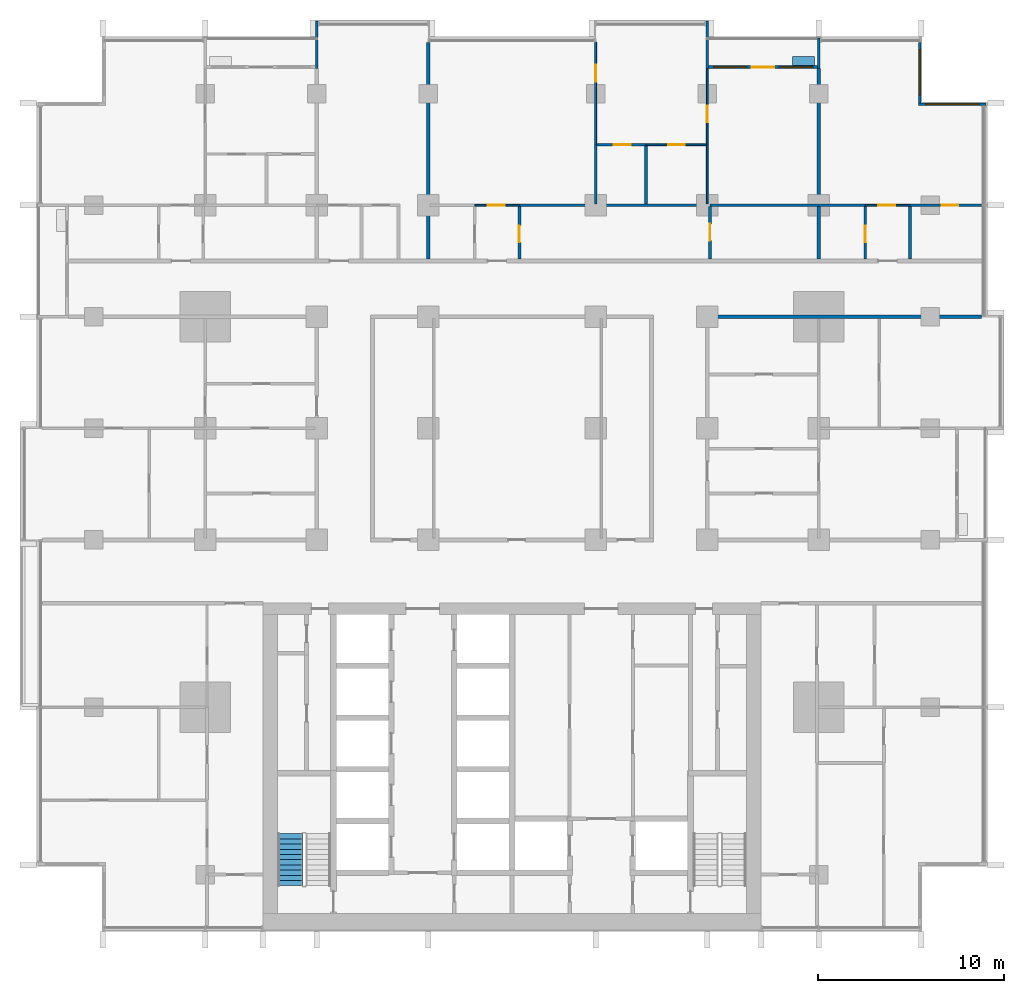
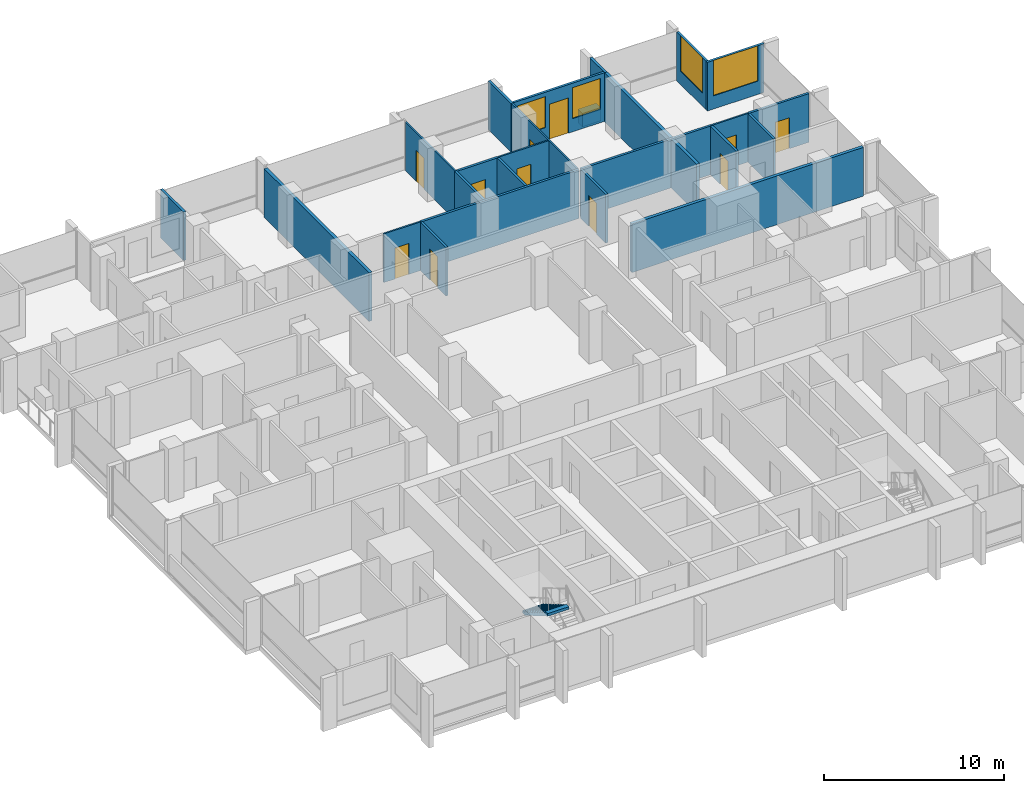
# One storey, part 12 of 18: 26 walls, 11 doors, 4 windows, 1 stair flight, 15 openings, 1 element without a shape of its own.
"""IFC4 building model written with IfcOpenShell, lengths in metres."""

from ifc_helpers import new_model, si_unit, direction, frame, frame_2d, origin, place, context, subcontext, project, spatial, polyline, rectangle, outline, extrude, material, layer, layer_set, type_object, element, fill, aggregate, save


model = new_model("IFC4")

# Units and contexts
model_context = context("Model", 3, precision=1e-05, world=origin(), true_north=direction((0.0, 1.0)))
body_context = subcontext(model_context, "Body", "Model", "MODEL_VIEW")
ifc_project = project(units=[si_unit("LENGTHUNIT", "METRE"), si_unit("AREAUNIT", "SQUARE_METRE"), si_unit("VOLUMEUNIT", "CUBIC_METRE"), si_unit("PLANEANGLEUNIT", "RADIAN"), si_unit("MASSUNIT", "GRAM", prefix="KILO")], contexts=[model_context])

# Site, building, storey
site_placement = place(None, origin())
site = spatial("IfcSite", under=ifc_project, at=site_placement, CompositionType="ELEMENT")
building_placement = place(site_placement, origin())
building = spatial("IfcBuilding", under=site, at=building_placement, Name="Finial Court Residences", CompositionType="ELEMENT")
storey_placement = place(building_placement, frame((0.0, 0.0, 84.699951171875)))
storey = spatial("IfcBuildingStorey", under=building, at=storey_placement, Name="L20", CompositionType="ELEMENT", Elevation=84.699951171875)

# Walls
ifc_material_1 = material(Name="Gypsum board")
ifc_layer_1 = layer(ifc_material_1, 0.02490234375)
ifc_material_2 = material(Name="Acoustic mineral wool in double frame")
ifc_layer_2 = layer(ifc_material_2, 0.14990234375)
ifc_layer_3 = layer(ifc_material_1, 0.02490234375)
ifc_layer_set_1 = layer_set([ifc_layer_1, ifc_layer_2, ifc_layer_3], Name="Acoustic party wall 200, 1 hour")
wall_type_1 = type_object("IfcWallType", Name="Acoustic party wall 200, 1 hour", PredefinedType="PARTITIONING", material=ifc_layer_set_1)
wall_1_placement = place(storey_placement, frame((-4.5, 10.60009765625, 0.0), z_axis=(0.0, 0.0, 1.0), x_axis=(0.0, 1.0, 0.0)))
element("IfcWall", 1, at=wall_1_placement, inside=storey, type_object=wall_type_1, Name="Partition L20-060", PredefinedType="PARTITIONING", context=body_context, shape_type="SweptSolid", body=[
    extrude(rectangle(XDim=11.64990234375, YDim=0.199951171875, at=frame_2d((5.824951171875, 0.0))), origin(), (0.0, 0.0, 1.0), 3.300048828125),
])
wall_2_placement = place(storey_placement, frame((16.5, 10.60009765625, 0.0), z_axis=(0.0, 0.0, 1.0), x_axis=(0.0, 1.0, 0.0)))
element("IfcWall", 2, at=wall_2_placement, inside=storey, type_object=wall_type_1, Name="Partition L20-077", PredefinedType="PARTITIONING", context=body_context, shape_type="SweptSolid", body=[
    extrude(rectangle(XDim=2.824951171875, YDim=0.199951171875, at=frame_2d((1.41259765625, 0.0))), origin(), (0.0, 0.0, 1.0), 3.300048828125),
])
wall_3_placement = place(storey_placement, frame((16.5, 13.574951171875, 0.0), z_axis=(0.0, 0.0, 1.0), x_axis=(0.0, 1.0, 0.0)))
element("IfcWall", 3, at=wall_3_placement, inside=storey, type_object=wall_type_1, Name="Partition L20-078", PredefinedType="PARTITIONING", context=body_context, shape_type="SweptSolid", body=[
    extrude(rectangle(XDim=7.275146484375, YDim=0.199951171875, at=frame_2d((3.6376953125, 0.0))), origin(), (0.0, 0.0, 1.0), 3.300048828125),
])
ifc_layer_4 = layer(ifc_material_1, 0.02490234375)
ifc_layer_5 = layer(ifc_material_2, 0.14990234375)
ifc_layer_6 = layer(ifc_material_1, 0.02490234375)
ifc_layer_set_2 = layer_set([ifc_layer_4, ifc_layer_5, ifc_layer_6], Name="Corridor wall 200, 1 hour")
wall_type_2 = type_object("IfcWallType", Name="Corridor wall 200, 1 hour", PredefinedType="PARTITIONING", material=ifc_layer_set_2)
wall_4_placement = place(storey_placement, frame((10.39990234375, 7.5, 0.0), z_axis=(0.0, 0.0, 1.0), x_axis=(1.0, 0.0, 0.0)))
element("IfcWall", 4, at=wall_4_placement, inside=storey, type_object=wall_type_2, Name="Partition L20-024", PredefinedType="PARTITIONING", context=body_context, shape_type="SweptSolid", body=[
    extrude(rectangle(XDim=14.85009765625, YDim=0.199951171875, at=frame_2d((7.425048828125, 0.0))), origin(), (0.0, 0.0, 1.0), 3.300048828125),
])

# Wall, opening, door
ifc_layer_7 = layer(ifc_material_1, 0.012451171875)
ifc_material_3 = material(Name="Mineral wool in light-gauge frame")
ifc_layer_8 = layer(ifc_material_3, 0.074951171875)
ifc_layer_9 = layer(ifc_material_1, 0.012451171875)
ifc_layer_set_3 = layer_set([ifc_layer_7, ifc_layer_8, ifc_layer_9], Name="Gypsum board partition 100")
wall_type_3 = type_object("IfcWallType", Name="Gypsum board partition 100", PredefinedType="PARTITIONING", material=ifc_layer_set_3)
wall_5_placement = place(storey_placement, frame((-2.0, 13.5, 0.0), z_axis=(0.0, 0.0, 1.0), x_axis=(1.0, 0.0, 0.0)))
wall_5 = element("IfcWall", 5, at=wall_5_placement, inside=storey, type_object=wall_type_3, Name="Partition L20-028", PredefinedType="PARTITIONING", context=body_context, shape_type="SweptSolid", body=[
    extrude(rectangle(XDim=2.39990234375, YDim=0.10009765625, at=frame_2d((1.199951171875, 0.0))), origin(), (0.0, 0.0, 1.0), 3.300048828125),
])
opening_1_placement = place(wall_5_placement, frame((0.699951171875, 0.0, 0.0)))
opening_1 = element("IfcOpeningElement", 6, at=opening_1_placement, cuts=wall_5, Name="Opening L20-D024", PredefinedType="OPENING", context=body_context, shape_type="SweptSolid", body=[
    extrude(rectangle(XDim=0.89990234375, YDim=2.10009765625, at=frame_2d((0.449951171875, 1.050048828125))), frame((0.0, 0.06005859375, 0.0), z_axis=(0.0, -1.0, 0.0), x_axis=(1.0, 0.0, 0.0)), (0.0, 0.0, 1.0), 0.1201171875),
])
ifc_material_4 = material(Name="Timber door leaf in timber frame", Category="wood")
door_type_1 = type_object("IfcDoorType", Name="Door set 900 x 2100", OperationType="SINGLE_SWING_LEFT", PredefinedType="DOOR", material=ifc_material_4)
door_1_placement = place(opening_1_placement, origin())
door_1 = element("IfcDoor", 7, at=door_1_placement, inside=storey, type_object=door_type_1, Name="Door L20-D024", OperationType="SINGLE_SWING_RIGHT", OverallHeight=2.10009765625, OverallWidth=0.89990234375, PredefinedType="DOOR", context=body_context, shape_type="SweptSolid", body=[
    extrude(rectangle(XDim=0.89990234375, YDim=2.10009765625, at=frame_2d((0.449951171875, 1.050048828125))), frame((0.0, 0.02490234375, 0.0), z_axis=(0.0, -1.0, 0.0), x_axis=(1.0, 0.0, 0.0)), (0.0, 0.0, 1.0), 0.050048828125),
])
fill(opening_1, door_1)

wall_6_placement = place(storey_placement, frame((19.0, 13.5, 0.0), z_axis=(0.0, 0.0, 1.0), x_axis=(1.0, 0.0, 0.0)))
wall_6 = element("IfcWall", 8, at=wall_6_placement, inside=storey, type_object=wall_type_3, Name="Partition L20-029", PredefinedType="PARTITIONING", context=body_context, shape_type="SweptSolid", body=[
    extrude(rectangle(XDim=2.39990234375, YDim=0.10009765625, at=frame_2d((1.199951171875, 0.0))), origin(), (0.0, 0.0, 1.0), 3.300048828125),
])
opening_2_placement = place(wall_6_placement, frame((0.699951171875, 0.0, 0.0)))
opening_2 = element("IfcOpeningElement", 9, at=opening_2_placement, cuts=wall_6, Name="Opening L20-D025", PredefinedType="OPENING", context=body_context, shape_type="SweptSolid", body=[
    extrude(rectangle(XDim=0.89990234375, YDim=2.10009765625, at=frame_2d((0.449951171875, 1.050048828125))), frame((0.0, 0.06005859375, 0.0), z_axis=(0.0, -1.0, 0.0), x_axis=(1.0, 0.0, 0.0)), (0.0, 0.0, 1.0), 0.1201171875),
])
door_2_placement = place(opening_2_placement, origin())
door_2 = element("IfcDoor", 10, at=door_2_placement, inside=storey, type_object=door_type_1, Name="Door L20-D025", OperationType="SINGLE_SWING_LEFT", OverallHeight=2.10009765625, OverallWidth=0.89990234375, PredefinedType="DOOR", context=body_context, shape_type="SweptSolid", body=[
    extrude(rectangle(XDim=0.89990234375, YDim=2.10009765625, at=frame_2d((0.449951171875, 1.050048828125))), frame((0.0, 0.02490234375, 0.0), z_axis=(0.0, -1.0, 0.0), x_axis=(1.0, 0.0, 0.0)), (0.0, 0.0, 1.0), 0.050048828125),
])
fill(opening_2, door_2)

wall_7_placement = place(storey_placement, frame((7.199951171875, 16.75, 0.0), z_axis=(0.0, 0.0, 1.0), x_axis=(1.0, 0.0, 0.0)))
wall_7 = element("IfcWall", 11, at=wall_7_placement, inside=storey, type_object=wall_type_3, Name="Partition L20-039", PredefinedType="PARTITIONING", context=body_context, shape_type="SweptSolid", body=[
    extrude(rectangle(XDim=3.25, YDim=0.10009765625, at=frame_2d((1.625, 0.0))), origin(), (0.0, 0.0, 1.0), 3.300048828125),
])
opening_3_placement = place(wall_7_placement, frame((1.199951171875, 0.0, 0.0)))
opening_3 = element("IfcOpeningElement", 12, at=opening_3_placement, cuts=wall_7, Name="Opening L20-D030", PredefinedType="OPENING", context=body_context, shape_type="SweptSolid", body=[
    extrude(rectangle(XDim=0.89990234375, YDim=2.10009765625, at=frame_2d((0.449951171875, 1.050048828125))), frame((0.0, 0.06005859375, 0.0), z_axis=(0.0, -1.0, 0.0), x_axis=(1.0, 0.0, 0.0)), (0.0, 0.0, 1.0), 0.1201171875),
])
door_3_placement = place(opening_3_placement, origin())
door_3 = element("IfcDoor", 13, at=door_3_placement, inside=storey, type_object=door_type_1, Name="Door L20-D030", OperationType="SINGLE_SWING_RIGHT", OverallHeight=2.10009765625, OverallWidth=0.89990234375, PredefinedType="DOOR", context=body_context, shape_type="SweptSolid", body=[
    extrude(rectangle(XDim=0.89990234375, YDim=2.10009765625, at=frame_2d((0.449951171875, 1.050048828125))), frame((0.0, 0.02490234375, 0.0), z_axis=(0.0, -1.0, 0.0), x_axis=(1.0, 0.0, 0.0)), (0.0, 0.0, 1.0), 0.050048828125),
])
fill(opening_3, door_3)

wall_8_placement = place(storey_placement, frame((4.5, 16.75, 0.0), z_axis=(0.0, 0.0, 1.0), x_axis=(0.0, 1.0, 0.0)))
wall_8 = element("IfcWall", 14, at=wall_8_placement, inside=storey, type_object=wall_type_3, Name="Partition L20-064", PredefinedType="PARTITIONING", context=body_context, shape_type="SweptSolid", body=[
    extrude(rectangle(XDim=5.5, YDim=0.10009765625, at=frame_2d((2.75, 0.0))), origin(), (0.0, 0.0, 1.0), 3.300048828125),
])
opening_4_placement = place(wall_8_placement, frame((3.39990234375, 0.0, 0.0)))
opening_4 = element("IfcOpeningElement", 15, at=opening_4_placement, cuts=wall_8, Name="Opening L20-D043", PredefinedType="OPENING", context=body_context, shape_type="SweptSolid", body=[
    extrude(rectangle(XDim=0.89990234375, YDim=2.10009765625, at=frame_2d((0.449951171875, 1.050048828125))), frame((0.0, 0.06005859375, 0.0), z_axis=(0.0, -1.0, 0.0), x_axis=(1.0, 0.0, 0.0)), (0.0, 0.0, 1.0), 0.1201171875),
])
door_4_placement = place(opening_4_placement, origin())
door_4 = element("IfcDoor", 16, at=door_4_placement, inside=storey, type_object=door_type_1, Name="Door L20-D043", OperationType="SINGLE_SWING_RIGHT", OverallHeight=2.10009765625, OverallWidth=0.89990234375, PredefinedType="DOOR", context=body_context, shape_type="SweptSolid", body=[
    extrude(rectangle(XDim=0.89990234375, YDim=2.10009765625, at=frame_2d((0.449951171875, 1.050048828125))), frame((0.0, 0.02490234375, 0.0), z_axis=(0.0, -1.0, 0.0), x_axis=(1.0, 0.0, 0.0)), (0.0, 0.0, 1.0), 0.050048828125),
])
fill(opening_4, door_4)

wall_9_placement = place(storey_placement, frame((10.5, 13.574951171875, 0.0), z_axis=(0.0, 0.0, 1.0), x_axis=(0.0, 1.0, 0.0)))
wall_9 = element("IfcWall", 17, at=wall_9_placement, inside=storey, type_object=wall_type_3, Name="Partition L20-070", PredefinedType="PARTITIONING", context=body_context, shape_type="SweptSolid", body=[
    extrude(rectangle(XDim=7.275146484375, YDim=0.10009765625, at=frame_2d((3.6376953125, 0.0))), origin(), (0.0, 0.0, 1.0), 3.300048828125),
])
opening_5_placement = place(wall_9_placement, frame((4.375, 0.0, 0.0)))
opening_5 = element("IfcOpeningElement", 18, at=opening_5_placement, cuts=wall_9, Name="Opening L20-D045", PredefinedType="OPENING", context=body_context, shape_type="SweptSolid", body=[
    extrude(rectangle(XDim=0.89990234375, YDim=2.10009765625, at=frame_2d((0.449951171875, 1.050048828125))), frame((0.0, 0.06005859375, 0.0), z_axis=(0.0, -1.0, 0.0), x_axis=(1.0, 0.0, 0.0)), (0.0, 0.0, 1.0), 0.1201171875),
])
door_5_placement = place(opening_5_placement, origin())
door_5 = element("IfcDoor", 19, at=door_5_placement, inside=storey, type_object=door_type_1, Name="Door L20-D045", OperationType="SINGLE_SWING_RIGHT", OverallHeight=2.10009765625, OverallWidth=0.89990234375, PredefinedType="DOOR", context=body_context, shape_type="SweptSolid", body=[
    extrude(rectangle(XDim=0.89990234375, YDim=2.10009765625, at=frame_2d((0.449951171875, 1.050048828125))), frame((0.0, 0.02490234375, 0.0), z_axis=(0.0, -1.0, 0.0), x_axis=(1.0, 0.0, 0.0)), (0.0, 0.0, 1.0), 0.050048828125),
])
fill(opening_5, door_5)

# Walls
ifc_material_5 = material(Name="Moisture-resistant gypsum board")
ifc_layer_10 = layer(ifc_material_5, 0.012451171875)
ifc_layer_11 = layer(ifc_material_3, 0.125)
ifc_layer_12 = layer(ifc_material_5, 0.012451171875)
ifc_layer_set_4 = layer_set([ifc_layer_10, ifc_layer_11, ifc_layer_12], Name="Gypsum board wet-area partition 150")
wall_type_4 = type_object("IfcWallType", Name="Gypsum board wet-area partition 150", PredefinedType="PARTITIONING", material=ifc_layer_set_4)
wall_10_placement = place(storey_placement, frame((0.39990234375, 13.5, 0.0), z_axis=(0.0, 0.0, 1.0), x_axis=(1.0, 0.0, 0.0)))
element("IfcWall", 20, at=wall_10_placement, inside=storey, type_object=wall_type_4, Name="Partition L20-034", PredefinedType="PARTITIONING", context=body_context, shape_type="SweptSolid", body=[
    extrude(rectangle(XDim=10.10009765625, YDim=0.14990234375, at=frame_2d((5.050048828125, 0.0))), origin(), (0.0, 0.0, 1.0), 3.300048828125),
])
wall_11_placement = place(storey_placement, frame((10.64990234375, 13.5, 0.0), z_axis=(0.0, 0.0, 1.0), x_axis=(1.0, 0.0, 0.0)))
element("IfcWall", 21, at=wall_11_placement, inside=storey, type_object=wall_type_4, Name="Partition L20-035", PredefinedType="PARTITIONING", context=body_context, shape_type="SweptSolid", body=[
    extrude(rectangle(XDim=8.35009765625, YDim=0.14990234375, at=frame_2d((4.175048828125, 0.0))), origin(), (0.0, 0.0, 1.0), 3.300048828125),
])

# Wall, opening, door
wall_12_placement = place(storey_placement, frame((21.39990234375, 13.5, 0.0), z_axis=(0.0, 0.0, 1.0), x_axis=(1.0, 0.0, 0.0)))
wall_12 = element("IfcWall", 22, at=wall_12_placement, inside=storey, type_object=wall_type_4, Name="Partition L20-036", PredefinedType="PARTITIONING", context=body_context, shape_type="SweptSolid", body=[
    extrude(rectangle(XDim=3.85009765625, YDim=0.14990234375, at=frame_2d((1.925048828125, 0.0))), origin(), (0.0, 0.0, 1.0), 3.300048828125),
])
opening_6_placement = place(wall_12_placement, frame((1.699951171875, 0.0, 0.0)))
opening_6 = element("IfcOpeningElement", 23, at=opening_6_placement, cuts=wall_12, Name="Opening L20-D027", PredefinedType="OPENING", context=body_context, shape_type="SweptSolid", body=[
    extrude(rectangle(XDim=0.89990234375, YDim=2.10009765625, at=frame_2d((0.449951171875, 1.050048828125))), frame((0.0, 0.0849609375, 0.0), z_axis=(0.0, -1.0, 0.0), x_axis=(1.0, 0.0, 0.0)), (0.0, 0.0, 1.0), 0.169921875),
])
door_6_placement = place(opening_6_placement, origin())
door_6 = element("IfcDoor", 24, at=door_6_placement, inside=storey, type_object=door_type_1, Name="Door L20-D027", OperationType="SINGLE_SWING_RIGHT", OverallHeight=2.10009765625, OverallWidth=0.89990234375, PredefinedType="DOOR", context=body_context, shape_type="SweptSolid", body=[
    extrude(rectangle(XDim=0.89990234375, YDim=2.10009765625, at=frame_2d((0.449951171875, 1.050048828125))), frame((0.0, 0.02490234375, 0.0), z_axis=(0.0, -1.0, 0.0), x_axis=(1.0, 0.0, 0.0)), (0.0, 0.0, 1.0), 0.050048828125),
])
fill(opening_6, door_6)

wall_13_placement = place(storey_placement, frame((4.574951171875, 16.75, 0.0), z_axis=(0.0, 0.0, 1.0), x_axis=(1.0, 0.0, 0.0)))
wall_13 = element("IfcWall", 25, at=wall_13_placement, inside=storey, type_object=wall_type_4, Name="Partition L20-040", PredefinedType="PARTITIONING", context=body_context, shape_type="SweptSolid", body=[
    extrude(rectangle(XDim=2.625, YDim=0.14990234375, at=frame_2d((1.3125, 0.0))), origin(), (0.0, 0.0, 1.0), 3.300048828125),
])
opening_7_placement = place(wall_13_placement, frame((0.89990234375, 0.0, 0.0)))
opening_7 = element("IfcOpeningElement", 26, at=opening_7_placement, cuts=wall_13, Name="Opening L20-D031", PredefinedType="OPENING", context=body_context, shape_type="SweptSolid", body=[
    extrude(rectangle(XDim=0.89990234375, YDim=2.10009765625, at=frame_2d((0.449951171875, 1.050048828125))), frame((0.0, 0.0849609375, 0.0), z_axis=(0.0, -1.0, 0.0), x_axis=(1.0, 0.0, 0.0)), (0.0, 0.0, 1.0), 0.169921875),
])
door_7_placement = place(opening_7_placement, origin())
door_7 = element("IfcDoor", 27, at=door_7_placement, inside=storey, type_object=door_type_1, Name="Door L20-D031", OperationType="SINGLE_SWING_RIGHT", OverallHeight=2.10009765625, OverallWidth=0.89990234375, PredefinedType="DOOR", context=body_context, shape_type="SweptSolid", body=[
    extrude(rectangle(XDim=0.89990234375, YDim=2.10009765625, at=frame_2d((0.449951171875, 1.050048828125))), frame((0.0, 0.02490234375, 0.0), z_axis=(0.0, -1.0, 0.0), x_axis=(1.0, 0.0, 0.0)), (0.0, 0.0, 1.0), 0.050048828125),
])
fill(opening_7, door_7)

wall_14_placement = place(storey_placement, frame((0.39990234375, 10.60009765625, 0.0), z_axis=(0.0, 0.0, 1.0), x_axis=(0.0, 1.0, 0.0)))
wall_14 = element("IfcWall", 28, at=wall_14_placement, inside=storey, type_object=wall_type_4, Name="Partition L20-063", PredefinedType="PARTITIONING", context=body_context, shape_type="SweptSolid", body=[
    extrude(rectangle(XDim=2.824951171875, YDim=0.14990234375, at=frame_2d((1.41259765625, 0.0))), origin(), (0.0, 0.0, 1.0), 3.300048828125),
])
opening_8_placement = place(wall_14_placement, frame((0.89990234375, 0.0, 0.0)))
opening_8 = element("IfcOpeningElement", 29, at=opening_8_placement, cuts=wall_14, Name="Opening L20-D042", PredefinedType="OPENING", context=body_context, shape_type="SweptSolid", body=[
    extrude(rectangle(XDim=0.89990234375, YDim=2.10009765625, at=frame_2d((0.449951171875, 1.050048828125))), frame((0.0, 0.0849609375, 0.0), z_axis=(0.0, -1.0, 0.0), x_axis=(1.0, 0.0, 0.0)), (0.0, 0.0, 1.0), 0.169921875),
])
door_8_placement = place(opening_8_placement, origin())
door_8 = element("IfcDoor", 30, at=door_8_placement, inside=storey, type_object=door_type_1, Name="Door L20-D042", OperationType="SINGLE_SWING_LEFT", OverallHeight=2.10009765625, OverallWidth=0.89990234375, PredefinedType="DOOR", context=body_context, shape_type="SweptSolid", body=[
    extrude(rectangle(XDim=0.89990234375, YDim=2.10009765625, at=frame_2d((0.449951171875, 1.050048828125))), frame((0.0, 0.02490234375, 0.0), z_axis=(0.0, -1.0, 0.0), x_axis=(1.0, 0.0, 0.0)), (0.0, 0.0, 1.0), 0.050048828125),
])
fill(opening_8, door_8)

# Walls
wall_15_placement = place(storey_placement, frame((4.5, 13.574951171875, 0.0), z_axis=(0.0, 0.0, 1.0), x_axis=(0.0, 1.0, 0.0)))
element("IfcWall", 31, at=wall_15_placement, inside=storey, type_object=wall_type_4, Name="Partition L20-065", PredefinedType="PARTITIONING", context=body_context, shape_type="SweptSolid", body=[
    extrude(rectangle(XDim=3.175048828125, YDim=0.14990234375, at=frame_2d((1.58740234375, 0.0))), origin(), (0.0, 0.0, 1.0), 3.300048828125),
])
wall_16_placement = place(storey_placement, frame((7.199951171875, 13.574951171875, 0.0), z_axis=(0.0, 0.0, 1.0), x_axis=(0.0, 1.0, 0.0)))
element("IfcWall", 32, at=wall_16_placement, inside=storey, type_object=wall_type_4, Name="Partition L20-067", PredefinedType="PARTITIONING", context=body_context, shape_type="SweptSolid", body=[
    extrude(rectangle(XDim=3.10009765625, YDim=0.14990234375, at=frame_2d((1.550048828125, 0.0))), origin(), (0.0, 0.0, 1.0), 3.300048828125),
])

# Wall, opening, door
wall_17_placement = place(storey_placement, frame((10.64990234375, 10.60009765625, 0.0), z_axis=(0.0, 0.0, 1.0), x_axis=(0.0, 1.0, 0.0)))
wall_17 = element("IfcWall", 33, at=wall_17_placement, inside=storey, type_object=wall_type_4, Name="Partition L20-071", PredefinedType="PARTITIONING", context=body_context, shape_type="SweptSolid", body=[
    extrude(rectangle(XDim=2.824951171875, YDim=0.14990234375, at=frame_2d((1.41259765625, 0.0))), origin(), (0.0, 0.0, 1.0), 3.300048828125),
])
opening_9_placement = place(wall_17_placement, frame((1.0, 0.0, 0.0)))
opening_9 = element("IfcOpeningElement", 34, at=opening_9_placement, cuts=wall_17, Name="Opening L20-D046", PredefinedType="OPENING", context=body_context, shape_type="SweptSolid", body=[
    extrude(rectangle(XDim=0.89990234375, YDim=2.10009765625, at=frame_2d((0.449951171875, 1.050048828125))), frame((0.0, 0.0849609375, 0.0), z_axis=(0.0, -1.0, 0.0), x_axis=(1.0, 0.0, 0.0)), (0.0, 0.0, 1.0), 0.169921875),
])
door_9_placement = place(opening_9_placement, origin())
door_9 = element("IfcDoor", 35, at=door_9_placement, inside=storey, type_object=door_type_1, Name="Door L20-D046", OperationType="SINGLE_SWING_RIGHT", OverallHeight=2.10009765625, OverallWidth=0.89990234375, PredefinedType="DOOR", context=body_context, shape_type="SweptSolid", body=[
    extrude(rectangle(XDim=0.89990234375, YDim=2.10009765625, at=frame_2d((0.449951171875, 1.050048828125))), frame((0.0, 0.02490234375, 0.0), z_axis=(0.0, -1.0, 0.0), x_axis=(1.0, 0.0, 0.0)), (0.0, 0.0, 1.0), 0.050048828125),
])
fill(opening_9, door_9)

wall_18_placement = place(storey_placement, frame((19.0, 10.60009765625, 0.0), z_axis=(0.0, 0.0, 1.0), x_axis=(0.0, 1.0, 0.0)))
wall_18 = element("IfcWall", 36, at=wall_18_placement, inside=storey, type_object=wall_type_4, Name="Partition L20-081", PredefinedType="PARTITIONING", context=body_context, shape_type="SweptSolid", body=[
    extrude(rectangle(XDim=2.824951171875, YDim=0.14990234375, at=frame_2d((1.41259765625, 0.0))), origin(), (0.0, 0.0, 1.0), 3.300048828125),
])
opening_10_placement = place(wall_18_placement, frame((0.89990234375, 0.0, 0.0)))
opening_10 = element("IfcOpeningElement", 37, at=opening_10_placement, cuts=wall_18, Name="Opening L20-D049", PredefinedType="OPENING", context=body_context, shape_type="SweptSolid", body=[
    extrude(rectangle(XDim=0.89990234375, YDim=2.10009765625, at=frame_2d((0.449951171875, 1.050048828125))), frame((0.0, 0.0849609375, 0.0), z_axis=(0.0, -1.0, 0.0), x_axis=(1.0, 0.0, 0.0)), (0.0, 0.0, 1.0), 0.169921875),
])
door_10_placement = place(opening_10_placement, origin())
door_10 = element("IfcDoor", 38, at=door_10_placement, inside=storey, type_object=door_type_1, Name="Door L20-D049", OperationType="SINGLE_SWING_LEFT", OverallHeight=2.10009765625, OverallWidth=0.89990234375, PredefinedType="DOOR", context=body_context, shape_type="SweptSolid", body=[
    extrude(rectangle(XDim=0.89990234375, YDim=2.10009765625, at=frame_2d((0.449951171875, 1.050048828125))), frame((0.0, 0.02490234375, 0.0), z_axis=(0.0, -1.0, 0.0), x_axis=(1.0, 0.0, 0.0)), (0.0, 0.0, 1.0), 0.050048828125),
])
fill(opening_10, door_10)

# Wall
wall_19_placement = place(storey_placement, frame((21.39990234375, 10.60009765625, 0.0), z_axis=(0.0, 0.0, 1.0), x_axis=(0.0, 1.0, 0.0)))
element("IfcWall", 39, at=wall_19_placement, inside=storey, type_object=wall_type_4, Name="Partition L20-086", PredefinedType="PARTITIONING", context=body_context, shape_type="SweptSolid", body=[
    extrude(rectangle(XDim=2.824951171875, YDim=0.14990234375, at=frame_2d((1.41259765625, 0.0))), origin(), (0.0, 0.0, 1.0), 3.300048828125),
])

# Wall, opening, window
ifc_material_6 = material(Name="Natural limestone", Category="masonry")
ifc_layer_13 = layer(ifc_material_6, 0.14990234375)
ifc_layer_set_5 = layer_set([ifc_layer_13], Name="Limestone clad wall 150")
wall_type_5 = type_object("IfcWallType", Name="Limestone clad wall 150", PredefinedType="SOLIDWALL", material=ifc_layer_set_5)
wall_20_placement = place(storey_placement, frame((21.925048828125, 22.25, 0.0), z_axis=(0.0, 0.0, 1.0), x_axis=(0.0, -1.0, 0.0)))
wall_20 = element("IfcWall", 40, at=wall_20_placement, inside=storey, type_object=wall_type_5, Name="E-L20-NWE21", PredefinedType="SOLIDWALL", context=body_context, shape_type="SweptSolid", body=[
    extrude(rectangle(XDim=3.25, YDim=0.14990234375, at=frame_2d((1.625, 0.0))), origin(), (0.0, 0.0, 1.0), 3.300048828125),
])
opening_11_placement = place(wall_20_placement, frame((0.39990234375, 0.0, 0.89990234375)))
opening_11 = element("IfcOpeningElement", 41, at=opening_11_placement, cuts=wall_20, Name="Opening WE20-07", PredefinedType="OPENING", context=body_context, shape_type="SweptSolid", body=[
    extrude(rectangle(XDim=2.449951171875, YDim=2.39990234375, at=frame_2d((1.22509765625, 1.199951171875))), frame((0.0, 0.0849609375, 0.0), z_axis=(0.0, -1.0, 0.0), x_axis=(1.0, 0.0, 0.0)), (0.0, 0.0, 1.0), 0.169921875),
])
ifc_material_7 = material(Name="Clear low-e glass", Category="glass")
window_type_1 = type_object("IfcWindowType", Name="Corner window 2450 x 2400", PartitioningType="SINGLE_PANEL", PredefinedType="WINDOW", material=ifc_material_7)
window_1_placement = place(opening_11_placement, origin())
window_1 = element("IfcWindow", 42, at=window_1_placement, inside=storey, type_object=window_type_1, Name="E-L20-NWE21-W1", OverallHeight=2.39990234375, OverallWidth=2.449951171875, PartitioningType="SINGLE_PANEL", PredefinedType="WINDOW", context=body_context, shape_type="SweptSolid", body=[
    extrude(rectangle(XDim=2.449951171875, YDim=2.39990234375, at=frame_2d((1.22509765625, 1.199951171875))), frame((0.0, 0.030029296875, 0.0), z_axis=(0.0, -1.0, 0.0), x_axis=(1.0, 0.0, 0.0)), (0.0, 0.0, 1.0), 0.06005859375),
])
fill(opening_11, window_1)

wall_21_placement = place(storey_placement, frame((21.85009765625, 18.925048828125, 0.0), z_axis=(0.0, 0.0, 1.0), x_axis=(1.0, 0.0, 0.0)))
wall_21 = element("IfcWall", 43, at=wall_21_placement, inside=storey, type_object=wall_type_5, Name="E-L20-NWN22", PredefinedType="SOLIDWALL", context=body_context, shape_type="SweptSolid", body=[
    extrude(rectangle(XDim=3.64990234375, YDim=0.14990234375, at=frame_2d((1.824951171875, 0.0))), origin(), (0.0, 0.0, 1.0), 3.300048828125),
])
opening_12_placement = place(wall_21_placement, frame((0.39990234375, 0.0, 0.89990234375)))
opening_12 = element("IfcOpeningElement", 44, at=opening_12_placement, cuts=wall_21, Name="Opening WE20-08", PredefinedType="OPENING", context=body_context, shape_type="SweptSolid", body=[
    extrude(rectangle(XDim=2.85009765625, YDim=2.39990234375, at=frame_2d((1.425048828125, 1.199951171875))), frame((0.0, 0.0849609375, 0.0), z_axis=(0.0, -1.0, 0.0), x_axis=(1.0, 0.0, 0.0)), (0.0, 0.0, 1.0), 0.169921875),
])
window_type_2 = type_object("IfcWindowType", Name="Corner window 2850 x 2400", PartitioningType="SINGLE_PANEL", PredefinedType="WINDOW", material=ifc_material_7)
window_2_placement = place(opening_12_placement, origin())
window_2 = element("IfcWindow", 45, at=window_2_placement, inside=storey, type_object=window_type_2, Name="E-L20-NWN22-W1", OverallHeight=2.39990234375, OverallWidth=2.85009765625, PartitioningType="SINGLE_PANEL", PredefinedType="WINDOW", context=body_context, shape_type="SweptSolid", body=[
    extrude(rectangle(XDim=2.85009765625, YDim=2.39990234375, at=frame_2d((1.425048828125, 1.199951171875))), frame((0.0, 0.030029296875, 0.0), z_axis=(0.0, -1.0, 0.0), x_axis=(1.0, 0.0, 0.0)), (0.0, 0.0, 1.0), 0.06005859375),
])
fill(opening_12, window_2)

# Walls
for number, where, z_axis, x_axis, name in (
    (46, (-10.5, 20.85009765625, 0.0), (0.0, 0.0, 1.0), (0.0, 1.0, 0.0), "E-L20-BALN2-P2"),
    (47, (10.5, 20.85009765625, 0.0), (0.0, 0.0, 1.0), (0.0, 1.0, 0.0), "E-L20-BALN6-P1"),
):
    element("IfcWall", number, at=place(storey_placement, frame(where, z_axis=z_axis, x_axis=x_axis)), inside=storey, type_object=wall_type_5, Name=name, PredefinedType="SOLIDWALL", context=body_context, shape_type="SweptSolid", body=[
        extrude(rectangle(XDim=2.5498046875, YDim=0.14990234375, at=frame_2d((1.27490234375, 0.0))), origin(), (0.0, 0.0, 1.0), 3.300048828125),
    ])
wall_22_placement = place(storey_placement, frame((16.5, 20.85009765625, 0.0), z_axis=(0.0, 0.0, 1.0), x_axis=(0.0, 1.0, 0.0)))
element("IfcWall", 48, at=wall_22_placement, inside=storey, type_object=wall_type_5, Name="E-L20-BALN6-P2", PredefinedType="SOLIDWALL", context=body_context, shape_type="SweptSolid", body=[
    extrude(rectangle(XDim=1.64990234375, YDim=0.14990234375, at=frame_2d((0.824951171875, 0.0))), origin(), (0.0, 0.0, 1.0), 3.300048828125),
])

# Wall, openings, door, windows
wall_23_placement = place(storey_placement, frame((10.574951171875, 20.925048828125, 0.0), z_axis=(0.0, 0.0, 1.0), x_axis=(1.0, 0.0, 0.0)))
wall_23 = element("IfcWall", 49, at=wall_23_placement, inside=storey, type_object=wall_type_5, Name="E-L20-L20-BALN6-W", PredefinedType="SOLIDWALL", context=body_context, shape_type="SweptSolid", body=[
    extrude(rectangle(XDim=5.85009765625, YDim=0.14990234375, at=frame_2d((2.925048828125, 0.0))), origin(), (0.0, 0.0, 1.0), 3.300048828125),
])
opening_13_placement = place(wall_23_placement, frame((2.324951171875, 0.0, 0.0)))
opening_13 = element("IfcOpeningElement", 50, at=opening_13_placement, cuts=wall_23, Name="Opening DE20-02", PredefinedType="OPENING", context=body_context, shape_type="SweptSolid", body=[
    extrude(rectangle(XDim=1.199951171875, YDim=2.39990234375, at=frame_2d((0.60009765625, 1.199951171875))), frame((0.0, 0.0849609375, 0.0), z_axis=(0.0, -1.0, 0.0), x_axis=(1.0, 0.0, 0.0)), (0.0, 0.0, 1.0), 0.169921875),
])
opening_14_placement = place(wall_23_placement, frame((0.262451171875, 0.0, 0.89990234375)))
opening_14 = element("IfcOpeningElement", 51, at=opening_14_placement, cuts=wall_23, Name="Opening WE20-11", PredefinedType="OPENING", context=body_context, shape_type="SweptSolid", body=[
    extrude(rectangle(XDim=1.800048828125, YDim=2.10009765625, at=frame_2d((0.89990234375, 1.050048828125))), frame((0.0, 0.0849609375, 0.0), z_axis=(0.0, -1.0, 0.0), x_axis=(1.0, 0.0, 0.0)), (0.0, 0.0, 1.0), 0.169921875),
])
opening_15_placement = place(wall_23_placement, frame((3.78759765625, 0.0, 0.89990234375)))
opening_15 = element("IfcOpeningElement", 52, at=opening_15_placement, cuts=wall_23, Name="Opening WE20-12", PredefinedType="OPENING", context=body_context, shape_type="SweptSolid", body=[
    extrude(rectangle(XDim=1.800048828125, YDim=2.10009765625, at=frame_2d((0.89990234375, 1.050048828125))), frame((0.0, 0.0849609375, 0.0), z_axis=(0.0, -1.0, 0.0), x_axis=(1.0, 0.0, 0.0)), (0.0, 0.0, 1.0), 0.169921875),
])
ifc_material_8 = material(Name="Bronze anodised aluminium", Category="aluminium")
door_type_2 = type_object("IfcDoorType", Name="Balcony door 1200 x 2400", OperationType="SINGLE_SWING_LEFT", PredefinedType="DOOR", material=ifc_material_8)
door_11_placement = place(opening_13_placement, origin())
door_11 = element("IfcDoor", 53, at=door_11_placement, inside=storey, type_object=door_type_2, Name="E-L20-L20-BALN6-W-D", OperationType="SINGLE_SWING_LEFT", OverallHeight=2.39990234375, OverallWidth=1.199951171875, PredefinedType="DOOR", context=body_context, shape_type="SweptSolid", body=[
    extrude(rectangle(XDim=1.199951171875, YDim=2.39990234375, at=frame_2d((0.60009765625, 1.199951171875))), frame((0.0, 0.02490234375, 0.0), z_axis=(0.0, -1.0, 0.0), x_axis=(1.0, 0.0, 0.0)), (0.0, 0.0, 1.0), 0.050048828125),
])
fill(opening_13, door_11)
window_type_3 = type_object("IfcWindowType", Name="Balcony window 1800 x 2100", PartitioningType="SINGLE_PANEL", PredefinedType="WINDOW", material=ifc_material_7)
window_3_placement = place(opening_14_placement, origin())
window_3 = element("IfcWindow", 54, at=window_3_placement, inside=storey, type_object=window_type_3, Name="E-L20-L20-BALN6-W-W1", OverallHeight=2.10009765625, OverallWidth=1.800048828125, PartitioningType="SINGLE_PANEL", PredefinedType="WINDOW", context=body_context, shape_type="SweptSolid", body=[
    extrude(rectangle(XDim=1.800048828125, YDim=2.10009765625, at=frame_2d((0.89990234375, 1.050048828125))), frame((0.0, 0.030029296875, 0.0), z_axis=(0.0, -1.0, 0.0), x_axis=(1.0, 0.0, 0.0)), (0.0, 0.0, 1.0), 0.06005859375),
])
fill(opening_14, window_3)
window_4_placement = place(opening_15_placement, origin())
window_4 = element("IfcWindow", 55, at=window_4_placement, inside=storey, type_object=window_type_3, Name="E-L20-L20-BALN6-W-W2", OverallHeight=2.10009765625, OverallWidth=1.800048828125, PartitioningType="SINGLE_PANEL", PredefinedType="WINDOW", context=body_context, shape_type="SweptSolid", body=[
    extrude(rectangle(XDim=1.800048828125, YDim=2.10009765625, at=frame_2d((0.89990234375, 1.050048828125))), frame((0.0, 0.030029296875, 0.0), z_axis=(0.0, -1.0, 0.0), x_axis=(1.0, 0.0, 0.0)), (0.0, 0.0, 1.0), 0.06005859375),
])
fill(opening_15, window_4)

# Wall
ifc_material_9 = material(Name="Concrete C40/50", Category="concrete")
ifc_layer_14 = layer(ifc_material_9, 0.10009765625)
ifc_material_10 = material(Name="Planting soil", Category="soil")
ifc_layer_15 = layer(ifc_material_10, 0.300048828125)
ifc_layer_16 = layer(ifc_material_9, 0.10009765625)
ifc_layer_set_6 = layer_set([ifc_layer_14, ifc_layer_15, ifc_layer_16], Name="Planter wall, balcony")
wall_type_6 = type_object("IfcWallType", Name="Planter wall, balcony", PredefinedType="USERDEFINED", material=ifc_layer_set_6)
wall_24_placement = place(storey_placement, frame((15.074951171875, 21.25, 0.0), z_axis=(0.0, 0.0, 1.0), x_axis=(1.0, 0.0, 0.0)))
element("IfcWall", 56, at=wall_24_placement, inside=storey, type_object=wall_type_6, Name="E-L20-BALN6-PL", ObjectType="PLANTER", PredefinedType="USERDEFINED", context=body_context, shape_type="SweptSolid", body=[
    extrude(rectangle(XDim=1.199951171875, YDim=0.5, at=frame_2d((0.60009765625, 0.0))), origin(), (0.0, 0.0, 1.0), 0.900146484375),
])

# Stair, stair flight
ifc_material_11 = material(Name="Concrete C50/60", Category="concrete")
stair_type = type_object("IfcStairType", Name="Exit stair 22 risers of 163.6 mm", PredefinedType="HALF_TURN_STAIR", material=ifc_material_11)
stair_placement = place(storey_placement, origin())
stair = element("IfcStair", 57, at=stair_placement, inside=storey, type_object=stair_type, Name="L20 Exit stair ST-1", PredefinedType="HALF_TURN_STAIR")
stair_flight_type = type_object("IfcStairFlightType", Name="Exit stair flight", PredefinedType="STRAIGHT", material=ifc_material_11)
stair_flight_placement = place(storey_placement, frame((-11.925048828125, -20.300048828125, 1.800048828125), z_axis=(0.0, 0.0, 1.0), x_axis=(0.0, -1.0, 0.0)))
stair_flight = element("IfcStairFlight", 58, at=stair_flight_placement, type_object=stair_flight_type, Name="ST-1 flight 2", NumberOfRisers=11, NumberOfTreads=10, PredefinedType="STRAIGHT", RiserHeight=0.163636364, TreadLength=0.28, context=body_context, shape_type="SweptSolid", body=[
    extrude(outline(polyline([(0.0, 0.0), (0.0, 0.16357421875), (0.280029296875, 0.16357421875), (0.280029296875, 0.327392578125), (0.56005859375, 0.327392578125), (0.56005859375, 0.490966796875), (0.840087890625, 0.490966796875), (0.840087890625, 0.654541015625), (1.1201171875, 0.654541015625), (1.1201171875, 0.818115234375), (1.39990234375, 0.818115234375), (1.39990234375, 0.98193359375), (1.679931640625, 0.98193359375), (1.679931640625, 1.1455078125), (1.9599609375, 1.1455078125), (1.9599609375, 1.30908203125), (2.239990234375, 1.30908203125), (2.239990234375, 1.47265625), (2.52001953125, 1.47265625), (2.52001953125, 1.636474609375), (2.800048828125, 1.636474609375), (2.800048828125, 1.800048828125), (2.800048828125, 1.462646484375), (0.297119140625, 0.0), (0.0, 0.0)])), frame((0.0, 0.675048828125, 0.0), z_axis=(0.0, -1.0, 0.0), x_axis=(1.0, 0.0, 0.0)), (0.0, 0.0, 1.0), 1.35009765625),
])
aggregate(stair, [stair_flight])

save(model, "model.ifc")
